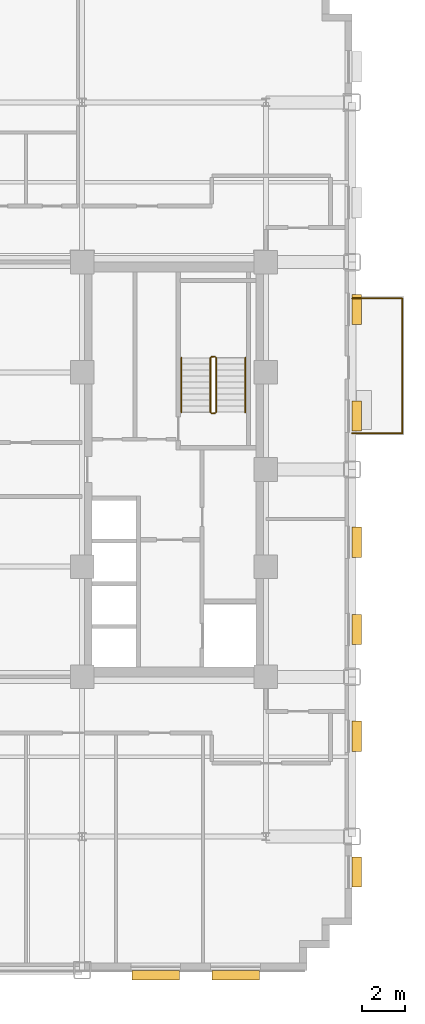
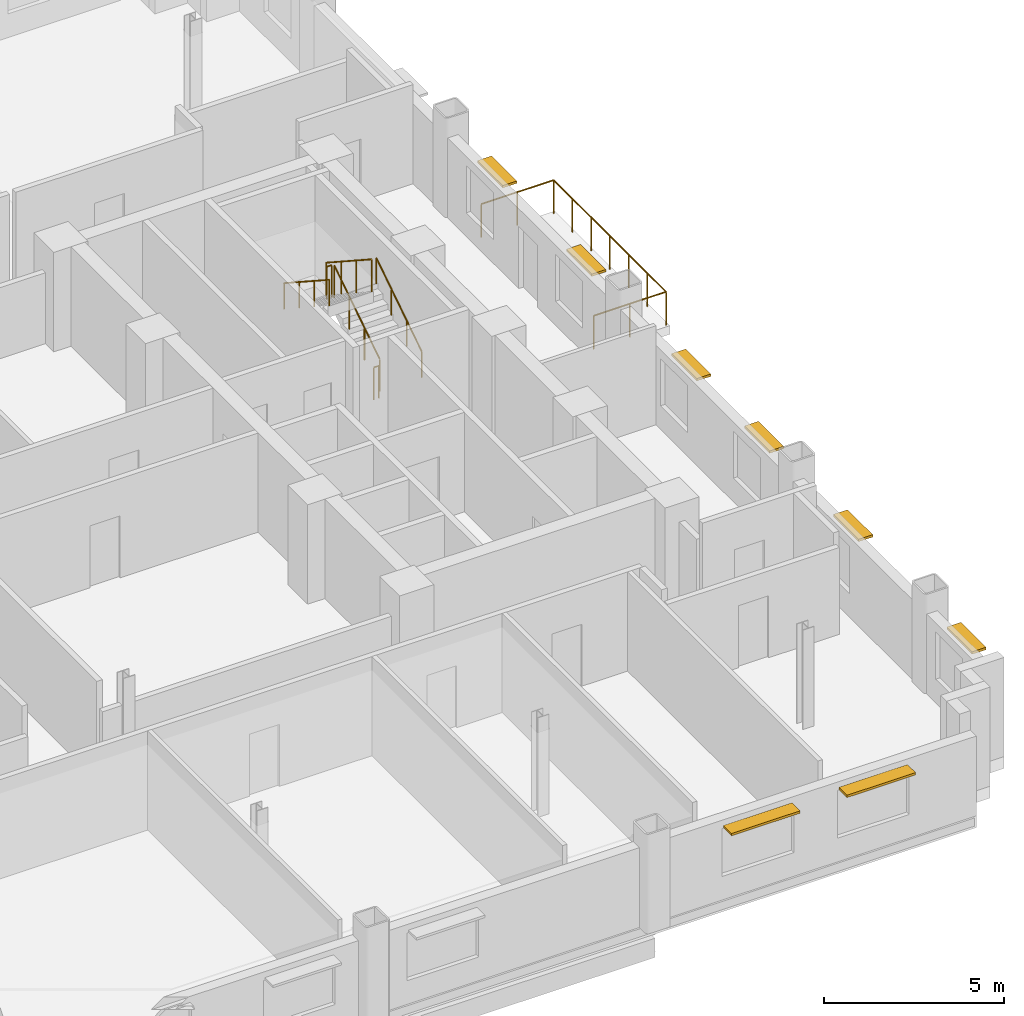
# One storey, part 13 of 14: 8 shading devices, 7 railings.
"""IFC4 building model written with IfcOpenShell, lengths in metres."""

from ifc_helpers import new_model, si_unit, direction, frame, origin, origin_2d, place, context, subcontext, project, spatial, rectangle, circle, extrude, source, transform, mapped, material, type_object, type_shapes, element, save


model = new_model("IFC4")

# Units and contexts
model_context = context("Model", 3, precision=1e-05, world=origin(), true_north=direction((0.0, 1.0)))
body_context = subcontext(model_context, "Body", "Model", "MODEL_VIEW")
ifc_project = project(units=[si_unit("LENGTHUNIT", "METRE"), si_unit("AREAUNIT", "SQUARE_METRE"), si_unit("VOLUMEUNIT", "CUBIC_METRE"), si_unit("PLANEANGLEUNIT", "RADIAN"), si_unit("MASSUNIT", "GRAM", prefix="KILO")], contexts=[model_context])

# Site, building, storey
site_placement = place(None, origin())
site = spatial("IfcSite", under=ifc_project, at=site_placement, CompositionType="ELEMENT")
building_placement = place(site_placement, origin())
building = spatial("IfcBuilding", under=site, at=building_placement, Name="Nuvemarco Arch Tower", CompositionType="ELEMENT")
storey_placement = place(building_placement, frame((0.0, 0.0, 56.800048828125)))
storey = spatial("IfcBuildingStorey", under=building, at=storey_placement, Name="L14", CompositionType="ELEMENT", Elevation=56.800048828125)

# Railings
ifc_material_1 = material(Name="Brushed stainless steel handrail", Category="steel")
railing_type_1 = type_object("IfcRailingType", Name="RL-HANDRAIL-900", PredefinedType="HANDRAIL", material=ifc_material_1)
railing_1_placement = place(storey_placement, frame((16.550048828125, 2.64990234375, 0.182373046875)))
element("IfcRailing", 1, at=railing_1_placement, inside=storey, type_object=railing_type_1, Name="L14 ST-2 stair handrail 1", PredefinedType="HANDRAIL", context=body_context, shape_type="SweptSolid", body=[
    extrude(circle(Radius=0.02392578125, at=origin_2d()), frame((0.0, 0.0, 0.8759765625), z_axis=(0.0, 0.837749427056, 0.546054848405), x_axis=(-1.0, 0.0, 0.0)), (0.0, 0.0, 1.0), 3.008056640625),
    extrude(circle(Radius=0.02099609375, at=origin_2d()), origin(), (0.0, 0.0, 1.0), 0.851806640625),
    extrude(circle(Radius=0.02099609375, at=origin_2d()), frame((0.0, 0.840087890625, 0.547607421875)), (0.0, 0.0, 1.0), 0.851806640625),
    extrude(circle(Radius=0.02099609375, at=origin_2d()), frame((0.0, 1.679931640625, 1.094970703125)), (0.0, 0.0, 1.0), 0.851806640625),
    extrude(circle(Radius=0.02099609375, at=origin_2d()), frame((0.0, 2.52001953125, 1.642578125)), (0.0, 0.0, 1.0), 0.851806640625),
])
railing_2_placement = place(storey_placement, frame((13.590087890625, 5.169921875, 2.007568359375)))
element("IfcRailing", 2, at=railing_2_placement, inside=storey, type_object=railing_type_1, Name="L14 ST-2 stair handrail 2", PredefinedType="HANDRAIL", context=body_context, shape_type="SweptSolid", body=[
    extrude(circle(Radius=0.02392578125, at=origin_2d()), frame((0.0, 0.0, 0.8759765625), z_axis=(0.0, -0.837786554691, 0.545997883492), x_axis=(1.0, 0.0, 0.0)), (0.0, 0.0, 1.0), 3.008056640625),
    extrude(circle(Radius=0.02099609375, at=origin_2d()), origin(), (0.0, 0.0, 1.0), 0.851806640625),
    extrude(circle(Radius=0.02099609375, at=origin_2d()), frame((0.0, -0.840087890625, 0.54736328125)), (0.0, 0.0, 1.0), 0.851806640625),
    extrude(circle(Radius=0.02099609375, at=origin_2d()), frame((0.0, -1.679931640625, 1.094970703125)), (0.0, 0.0, 1.0), 0.851806640625),
    extrude(circle(Radius=0.02099609375, at=origin_2d()), frame((0.0, -2.52001953125, 1.642333984375)), (0.0, 0.0, 1.0), 0.851806640625),
])
ifc_material_2 = material(Name="Painted balustrade steel S355", Category="steel")
railing_type_2 = type_object("IfcRailingType", Name="RL-STAIR-GUARD", PredefinedType="GUARDRAIL", material=ifc_material_2)
railing_3_placement = place(storey_placement, frame((15.199951171875, 2.64990234375, 0.182373046875)))
element("IfcRailing", 3, at=railing_3_placement, inside=storey, type_object=railing_type_2, Name="L14 ST-2 stair guard 1", PredefinedType="GUARDRAIL", context=body_context, shape_type="SweptSolid", body=[
    extrude(circle(Radius=0.02392578125, at=origin_2d()), frame((0.0, 0.0, 1.09619140625), z_axis=(0.0, 0.837749427056, 0.546054848405), x_axis=(-1.0, 0.0, 0.0)), (0.0, 0.0, 1.0), 3.008056640625),
    extrude(circle(Radius=0.02099609375, at=origin_2d()), origin(), (0.0, 0.0, 1.0), 1.072021484375),
    extrude(circle(Radius=0.02099609375, at=origin_2d()), frame((0.0, 0.840087890625, 0.547607421875)), (0.0, 0.0, 1.0), 1.072021484375),
    extrude(circle(Radius=0.02099609375, at=origin_2d()), frame((0.0, 1.679931640625, 1.094970703125)), (0.0, 0.0, 1.0), 1.072021484375),
    extrude(circle(Radius=0.02099609375, at=origin_2d()), frame((0.0, 2.52001953125, 1.642578125)), (0.0, 0.0, 1.0), 1.072021484375),
])
railing_4_placement = place(storey_placement, frame((15.14990234375, 5.219970703125, 1.824951171875)))
element("IfcRailing", 4, at=railing_4_placement, inside=storey, type_object=railing_type_2, Name="L14 ST-2 stair guard 2", PredefinedType="GUARDRAIL", context=body_context, shape_type="SweptSolid", body=[
    extrude(circle(Radius=0.02392578125, at=origin_2d()), frame((0.0, 0.0, 1.09619140625), z_axis=(-1.0, 0.0, 0.0), x_axis=(0.0, -1.0, 0.0)), (0.0, 0.0, 1.0), 0.159912109375),
    extrude(circle(Radius=0.02099609375, at=origin_2d()), origin(), (0.0, 0.0, 1.0), 1.072021484375),
    extrude(circle(Radius=0.02099609375, at=origin_2d()), frame((-0.159912109375, 0.0, 0.0)), (0.0, 0.0, 1.0), 1.072021484375),
])
railing_5_placement = place(storey_placement, frame((14.93994140625, 5.169921875, 2.007568359375)))
element("IfcRailing", 5, at=railing_5_placement, inside=storey, type_object=railing_type_2, Name="L14 ST-2 stair guard 3", PredefinedType="GUARDRAIL", context=body_context, shape_type="SweptSolid", body=[
    extrude(circle(Radius=0.02392578125, at=origin_2d()), frame((0.0, 0.0, 1.09619140625), z_axis=(0.0, -0.837786554691, 0.545997883492), x_axis=(1.0, 0.0, 0.0)), (0.0, 0.0, 1.0), 3.008056640625),
    extrude(circle(Radius=0.02099609375, at=origin_2d()), origin(), (0.0, 0.0, 1.0), 1.072021484375),
    extrude(circle(Radius=0.02099609375, at=origin_2d()), frame((0.0, -0.840087890625, 0.54736328125)), (0.0, 0.0, 1.0), 1.072021484375),
    extrude(circle(Radius=0.02099609375, at=origin_2d()), frame((0.0, -1.679931640625, 1.094970703125)), (0.0, 0.0, 1.0), 1.072021484375),
    extrude(circle(Radius=0.02099609375, at=origin_2d()), frame((0.0, -2.52001953125, 1.642333984375)), (0.0, 0.0, 1.0), 1.072021484375),
])
railing_6_placement = place(storey_placement, frame((15.14990234375, 2.60009765625, 0.0)))
element("IfcRailing", 6, at=railing_6_placement, inside=storey, type_object=railing_type_2, Name="L14 ST-2 stair guard 4", PredefinedType="GUARDRAIL", context=body_context, shape_type="SweptSolid", body=[
    extrude(circle(Radius=0.02392578125, at=origin_2d()), frame((0.0, 0.0, 1.09619140625), z_axis=(-1.0, 0.0, 0.0), x_axis=(0.0, -1.0, 0.0)), (0.0, 0.0, 1.0), 0.159912109375),
    extrude(circle(Radius=0.02099609375, at=origin_2d()), origin(), (0.0, 0.0, 1.0), 1.072021484375),
    extrude(circle(Radius=0.02099609375, at=origin_2d()), frame((-0.159912109375, 0.0, 0.0)), (0.0, 0.0, 1.0), 1.072021484375),
])
ifc_material_3 = material(Name="Dark anodised balustrade steel S355", Category="steel")
railing_type_3 = type_object("IfcRailingType", Name="RL-TERR-GUARD", PredefinedType="BALUSTRADE", material=ifc_material_3)
railing_7_placement = place(storey_placement, frame((21.5, 1.679931640625, 0.0)))
element("IfcRailing", 7, at=railing_7_placement, inside=storey, type_object=railing_type_3, Name="L14 spiral terrace perimeter balustrade guard", PredefinedType="BALUSTRADE", context=body_context, shape_type="SweptSolid", body=[
    extrude(circle(Radius=0.02392578125, at=origin_2d()), frame((0.0, 0.0, 1.1259765625), z_axis=(1.0, 0.0, 0.0), x_axis=(0.0, 1.0, 0.0)), (0.0, 0.0, 1.0), 2.320068359375),
    extrude(circle(Radius=0.02392578125, at=origin_2d()), frame((2.320068359375, 0.0, 1.1259765625), z_axis=(0.0, 1.0, 0.0), x_axis=(-1.0, 0.0, 0.0)), (0.0, 0.0, 1.0), 6.239990234375),
    extrude(circle(Radius=0.02392578125, at=origin_2d()), frame((2.320068359375, 6.239990234375, 1.1259765625), z_axis=(-1.0, 0.0, 0.0), x_axis=(0.0, -1.0, 0.0)), (0.0, 0.0, 1.0), 2.320068359375),
    extrude(circle(Radius=0.02099609375, at=origin_2d()), origin(), (0.0, 0.0, 1.0), 1.101806640625),
    extrude(circle(Radius=0.02099609375, at=origin_2d()), frame((1.16015625, 0.0, 0.0)), (0.0, 0.0, 1.0), 1.101806640625),
    extrude(circle(Radius=0.02099609375, at=origin_2d()), frame((2.320068359375, 0.0, 0.0)), (0.0, 0.0, 1.0), 1.101806640625),
    extrude(circle(Radius=0.02099609375, at=origin_2d()), frame((2.320068359375, 1.0400390625, 0.0)), (0.0, 0.0, 1.0), 1.101806640625),
    extrude(circle(Radius=0.02099609375, at=origin_2d()), frame((2.320068359375, 2.080078125, 0.0)), (0.0, 0.0, 1.0), 1.101806640625),
    extrude(circle(Radius=0.02099609375, at=origin_2d()), frame((2.320068359375, 3.1201171875, 0.0)), (0.0, 0.0, 1.0), 1.101806640625),
    extrude(circle(Radius=0.02099609375, at=origin_2d()), frame((2.320068359375, 4.159912109375, 0.0)), (0.0, 0.0, 1.0), 1.101806640625),
    extrude(circle(Radius=0.02099609375, at=origin_2d()), frame((2.320068359375, 5.199951171875, 0.0)), (0.0, 0.0, 1.0), 1.101806640625),
    extrude(circle(Radius=0.02099609375, at=origin_2d()), frame((2.320068359375, 6.239990234375, 0.0)), (0.0, 0.0, 1.0), 1.101806640625),
    extrude(circle(Radius=0.02099609375, at=origin_2d()), frame((1.16015625, 6.239990234375, 0.0)), (0.0, 0.0, 1.0), 1.101806640625),
    extrude(circle(Radius=0.02099609375, at=origin_2d()), frame((0.0, 6.239990234375, 0.0)), (0.0, 0.0, 1.0), 1.101806640625),
])

# Shading devices
ifc_material_4 = material(Name="Anodised aluminium 6063-T6", Category="aluminium")
shading_device_type_1 = type_object("IfcShadingDeviceType", Name="SHD-BRISE-SOLEIL", PredefinedType="USERDEFINED", material=ifc_material_4)
shared_shape_1 = source(origin(), body_context, "Body", "SweptSolid", [
    extrude(rectangle(XDim=2.199951171875, YDim=0.449951171875, at=origin_2d()), origin(), (0.0, 0.0, 1.0), 0.080078125),
])
type_shapes(shading_device_type_1, [shared_shape_1])
for number, where, z_axis, x_axis, name in (
    (8, (12.39990234375, -23.4150390625, 2.4248046875), (0.0, 0.0, 1.0), (1.0, 0.0, 0.0), "L14 horizontal brise-soleil sunshade"),
    (9, (16.10009765625, -23.4150390625, 2.4248046875), (0.0, 0.0, 1.0), (1.0, 0.0, 0.0), "L14 horizontal brise-soleil sunshade"),
):
    element("IfcShadingDevice", number, at=place(storey_placement, frame(where, z_axis=z_axis, x_axis=x_axis)), inside=storey, type_object=shading_device_type_1, Name=name, ObjectType="SUNSHADE", PredefinedType="USERDEFINED", context=body_context, shape_type="MappedRepresentation", body=[
        mapped(shared_shape_1, transform((0.0, 0.0, 0.0), scale=1.0)),
    ])
shading_device_type_2 = type_object("IfcShadingDeviceType", Name="SHD-BRISE-NARROW", PredefinedType="USERDEFINED", material=ifc_material_4)
shared_shape_2 = source(origin(), body_context, "Body", "SweptSolid", [
    extrude(rectangle(XDim=1.39990234375, YDim=0.449951171875, at=origin_2d()), origin(), (0.0, 0.0, 1.0), 0.080078125),
])
type_shapes(shading_device_type_2, [shared_shape_2])
for number, where, z_axis, x_axis, name in (
    (10, (21.715087890625, -18.6435546875, 2.405029296875), (0.0, 0.0, 1.0), (0.0, 1.0, 0.0), "L14 horizontal brise-soleil sunshade"),
    (11, (21.715087890625, -12.3525390625, 2.405029296875), (0.0, 0.0, 1.0), (0.0, 1.0, 0.0), "L14 horizontal brise-soleil sunshade"),
    (12, (21.715087890625, -7.41162109375, 2.405029296875), (0.0, 0.0, 1.0), (0.0, 1.0, 0.0), "L14 horizontal brise-soleil sunshade"),
    (13, (21.715087890625, -3.37060546875, 2.405029296875), (0.0, 0.0, 1.0), (0.0, 1.0, 0.0), "L14 horizontal brise-soleil sunshade"),
    (14, (21.715087890625, 2.470458984375, 2.405029296875), (0.0, 0.0, 1.0), (0.0, 1.0, 0.0), "L14 horizontal brise-soleil sunshade"),
    (15, (21.715087890625, 7.41162109375, 2.405029296875), (0.0, 0.0, 1.0), (0.0, 1.0, 0.0), "L14 horizontal brise-soleil sunshade"),
):
    element("IfcShadingDevice", number, at=place(storey_placement, frame(where, z_axis=z_axis, x_axis=x_axis)), inside=storey, type_object=shading_device_type_2, Name=name, ObjectType="SUNSHADE", PredefinedType="USERDEFINED", context=body_context, shape_type="MappedRepresentation", body=[
        mapped(shared_shape_2, transform((0.0, 0.0, 0.0), scale=1.0)),
    ])

save(model, "model.ifc")
